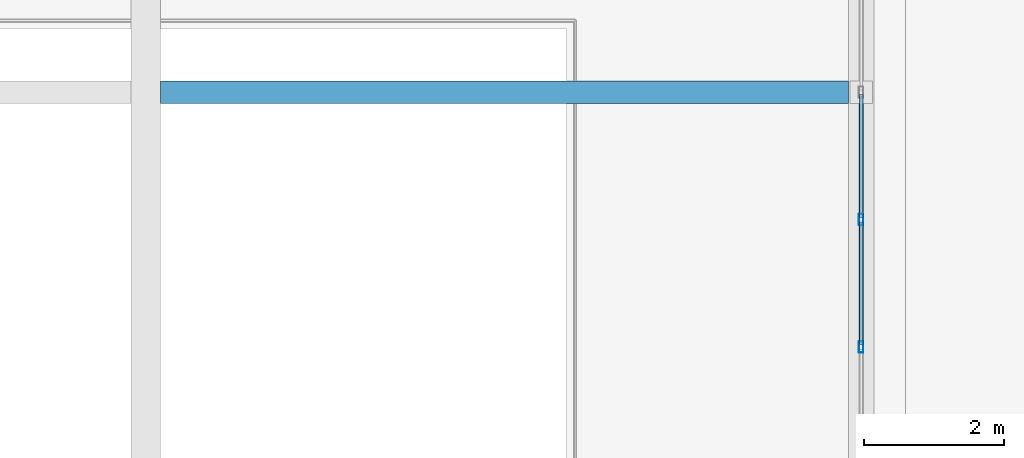
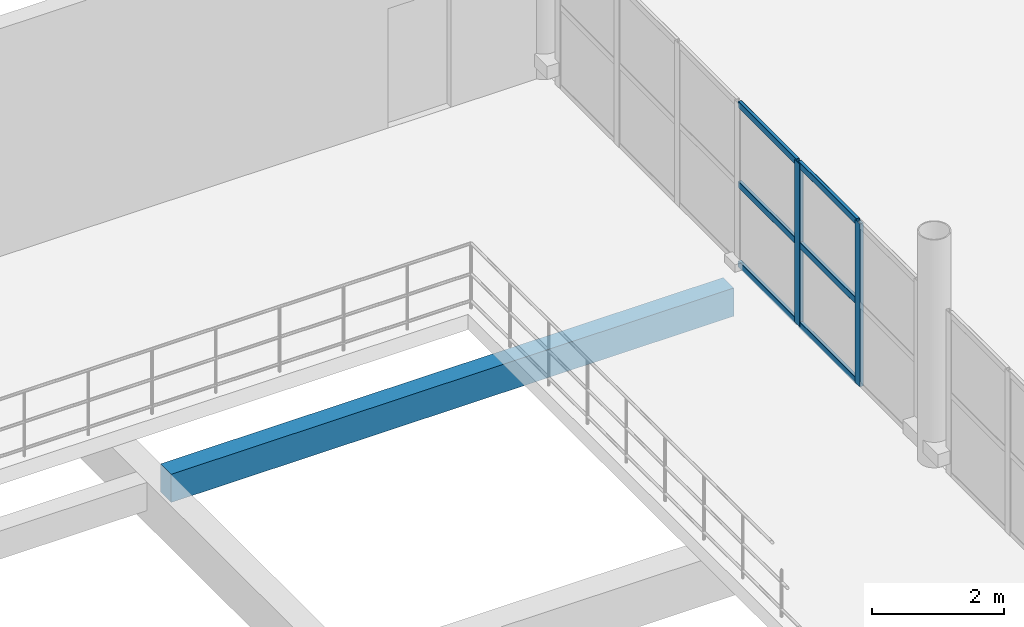
# One storey, part 75 of 157: 8 members, 1 beam, 1 element without a shape of its own.
"""IFC4 building model written with IfcOpenShell, lengths in metres."""

from ifc_helpers import new_model, si_unit, direction, frame, origin, origin_2d, place, context, subcontext, project, spatial, rectangle, hollow_rectangle, extrude, material, material_profile, profile_set, type_object, element, aggregate, save


model = new_model("IFC4")

# Units and contexts
model_context = context("Model", 3, precision=1e-05, world=origin(), true_north=direction((0.0, 1.0)))
body_context = subcontext(model_context, "Body", "Model", "MODEL_VIEW")
ifc_project = project(units=[si_unit("LENGTHUNIT", "METRE"), si_unit("AREAUNIT", "SQUARE_METRE"), si_unit("VOLUMEUNIT", "CUBIC_METRE"), si_unit("PLANEANGLEUNIT", "RADIAN"), si_unit("MASSUNIT", "GRAM", prefix="KILO")], contexts=[model_context])

# Site, building, storey
site_placement = place(None, origin())
site = spatial("IfcSite", under=ifc_project, at=site_placement, CompositionType="ELEMENT")
building_placement = place(site_placement, origin())
building = spatial("IfcBuilding", under=site, at=building_placement, Name="Brelvane Convention Centre", CompositionType="ELEMENT")
storey_placement = place(building_placement, frame((0.0, 0.0, 10.800048828125)))
storey = spatial("IfcBuildingStorey", under=building, at=storey_placement, Name="L02", CompositionType="ELEMENT", Elevation=10.800048828125)

# Curtain wall, members
ifc_material_1 = material(Name="Anodised Aluminium Alloy 6063-T6", Category="aluminium")
curtain_wall_type = type_object("IfcCurtainWallType", Name="Curtain Wall CW-CONC", PredefinedType="USERDEFINED", material=ifc_material_1)
curtain_wall_placement = place(storey_placement, origin())
curtain_wall = element("IfcCurtainWall", 1, at=curtain_wall_placement, inside=storey, type_object=curtain_wall_type, Name="Curtain Wall CW-CONC L02-GAL-ATRIUM-E-3", ObjectType="UNITISED", PredefinedType="USERDEFINED")
ifc_material_2 = material(Name="Anodised Aluminium Alloy 6063-T6", Category="aluminium")
ifc_material_profile_1 = material_profile(ifc_material_2, hollow_rectangle(XDim=0.06494140625, YDim=0.159912109375, WallThickness=0.00390625, InnerFilletRadius=0.00390625, OuterFilletRadius=0.008056640625, at=origin_2d()), Name="ALU-M 160x65x4.0")
ifc_profile_set_1 = profile_set([ifc_material_profile_1], Name="Anodised Aluminium Alloy 6063-T6")
member_type_1 = type_object("IfcMemberType", Name="Curtain Mullion CW-M3", PredefinedType="MULLION", material=ifc_profile_set_1)
member_1_placement = place(storey_placement, frame((163.199951171875, 66.466552734375, 0.0), z_axis=(0.0, 0.0, 1.0), x_axis=(-1.0, 0.0, 0.0)))
member_1 = element("IfcMember", 2, at=member_1_placement, type_object=member_type_1, Name="CW-CONC mullion 2", PredefinedType="MULLION", context=body_context, shape_type="SweptSolid", body=[
    extrude(hollow_rectangle(XDim=0.06494140625, YDim=0.159912109375, WallThickness=0.00390625, InnerFilletRadius=0.00390625, OuterFilletRadius=0.008056640625, at=origin_2d()), origin(), (0.0, 0.0, 1.0), 3.0),
])
member_2_placement = place(storey_placement, frame((163.199951171875, 68.283447265625, 0.0), z_axis=(0.0, 0.0, 1.0), x_axis=(-1.0, 0.0, 0.0)))
member_2 = element("IfcMember", 3, at=member_2_placement, type_object=member_type_1, Name="CW-CONC mullion 3", PredefinedType="MULLION", context=body_context, shape_type="SweptSolid", body=[
    extrude(hollow_rectangle(XDim=0.06494140625, YDim=0.159912109375, WallThickness=0.00390625, InnerFilletRadius=0.00390625, OuterFilletRadius=0.008056640625, at=origin_2d()), origin(), (0.0, 0.0, 1.0), 3.0),
])
ifc_material_3 = material(Name="Anodised Aluminium Alloy 6063-T6", Category="aluminium")
ifc_material_profile_2 = material_profile(ifc_material_3, hollow_rectangle(XDim=0.06005859375, YDim=0.1201171875, WallThickness=0.00390625, InnerFilletRadius=0.00390625, OuterFilletRadius=0.008056640625, at=origin_2d()), Name="ALU-T 120x60x4.0")
ifc_profile_set_2 = profile_set([ifc_material_profile_2], Name="Anodised Aluminium Alloy 6063-T6")
member_type_2 = type_object("IfcMemberType", Name="Curtain Transom CW-T3", PredefinedType="USERDEFINED", material=ifc_profile_set_2)
member_3_placement = place(storey_placement, frame((163.199951171875, 66.499267578125, 0.030029296875), z_axis=(0.0, 1.0, 0.0), x_axis=(-1.0, 0.0, 0.0)))
member_3 = element("IfcMember", 4, at=member_3_placement, type_object=member_type_2, Name="CW-CONC transom 2.1", ObjectType="TRANSOM", PredefinedType="USERDEFINED", context=body_context, shape_type="SweptSolid", body=[
    extrude(hollow_rectangle(XDim=0.06005859375, YDim=0.1201171875, WallThickness=0.00390625, InnerFilletRadius=0.00390625, OuterFilletRadius=0.008056640625, at=origin_2d()), origin(), (0.0, 0.0, 1.0), 1.75146484375),
])
member_4_placement = place(storey_placement, frame((163.199951171875, 66.499267578125, 1.5), z_axis=(0.0, 1.0, 0.0), x_axis=(-1.0, 0.0, 0.0)))
member_4 = element("IfcMember", 5, at=member_4_placement, type_object=member_type_2, Name="CW-CONC transom 2.2", ObjectType="TRANSOM", PredefinedType="USERDEFINED", context=body_context, shape_type="SweptSolid", body=[
    extrude(hollow_rectangle(XDim=0.06005859375, YDim=0.1201171875, WallThickness=0.00390625, InnerFilletRadius=0.00390625, OuterFilletRadius=0.008056640625, at=origin_2d()), origin(), (0.0, 0.0, 1.0), 1.75146484375),
])
member_5_placement = place(storey_placement, frame((163.199951171875, 66.499267578125, 2.969970703125), z_axis=(0.0, 1.0, 0.0), x_axis=(-1.0, 0.0, 0.0)))
member_5 = element("IfcMember", 6, at=member_5_placement, type_object=member_type_2, Name="CW-CONC transom 2.3", ObjectType="TRANSOM", PredefinedType="USERDEFINED", context=body_context, shape_type="SweptSolid", body=[
    extrude(hollow_rectangle(XDim=0.06005859375, YDim=0.1201171875, WallThickness=0.00390625, InnerFilletRadius=0.00390625, OuterFilletRadius=0.008056640625, at=origin_2d()), origin(), (0.0, 0.0, 1.0), 1.75146484375),
])
member_6_placement = place(storey_placement, frame((163.199951171875, 68.31591796875, 0.030029296875), z_axis=(0.0, 1.0, 0.0), x_axis=(-1.0, 0.0, 0.0)))
member_6 = element("IfcMember", 7, at=member_6_placement, type_object=member_type_2, Name="CW-CONC transom 3.1", ObjectType="TRANSOM", PredefinedType="USERDEFINED", context=body_context, shape_type="SweptSolid", body=[
    extrude(hollow_rectangle(XDim=0.06005859375, YDim=0.1201171875, WallThickness=0.00390625, InnerFilletRadius=0.00390625, OuterFilletRadius=0.008056640625, at=origin_2d()), origin(), (0.0, 0.0, 1.0), 1.75146484375),
])
member_7_placement = place(storey_placement, frame((163.199951171875, 68.31591796875, 1.5), z_axis=(0.0, 1.0, 0.0), x_axis=(-1.0, 0.0, 0.0)))
member_7 = element("IfcMember", 8, at=member_7_placement, type_object=member_type_2, Name="CW-CONC transom 3.2", ObjectType="TRANSOM", PredefinedType="USERDEFINED", context=body_context, shape_type="SweptSolid", body=[
    extrude(hollow_rectangle(XDim=0.06005859375, YDim=0.1201171875, WallThickness=0.00390625, InnerFilletRadius=0.00390625, OuterFilletRadius=0.008056640625, at=origin_2d()), origin(), (0.0, 0.0, 1.0), 1.75146484375),
])
member_8_placement = place(storey_placement, frame((163.199951171875, 68.31591796875, 2.969970703125), z_axis=(0.0, 1.0, 0.0), x_axis=(-1.0, 0.0, 0.0)))
member_8 = element("IfcMember", 9, at=member_8_placement, type_object=member_type_2, Name="CW-CONC transom 3.3", ObjectType="TRANSOM", PredefinedType="USERDEFINED", context=body_context, shape_type="SweptSolid", body=[
    extrude(hollow_rectangle(XDim=0.06005859375, YDim=0.1201171875, WallThickness=0.00390625, InnerFilletRadius=0.00390625, OuterFilletRadius=0.008056640625, at=origin_2d()), origin(), (0.0, 0.0, 1.0), 1.75146484375),
])
aggregate(curtain_wall, [member_1, member_2, member_3, member_4, member_5, member_6, member_7, member_8])

# Beam
ifc_material_4 = material(Name="Concrete M40", Category="concrete")
ifc_material_profile_3 = material_profile(ifc_material_4, rectangle(XDim=0.320068359375, YDim=0.52001953125, at=origin_2d()), Name="RC 320x520")
ifc_profile_set_3 = profile_set([ifc_material_profile_3], Name="Concrete M40")
beam_type = type_object("IfcBeamType", Name="RC Joist J-RC4 (RC 320x520)", PredefinedType="JOIST", material=ifc_profile_set_3)
beam_placement = place(storey_placement, frame((153.2099609375, 70.10009765625, -0.5400390625), z_axis=(1.0, 0.0, 0.0), x_axis=(0.0, 1.0, 0.0)))
element("IfcBeam", 10, at=beam_placement, inside=storey, type_object=beam_type, Name="L02 Secondary Joist 16-17/GH", PredefinedType="JOIST", context=body_context, shape_type="SweptSolid", body=[
    extrude(rectangle(XDim=0.320068359375, YDim=0.52001953125, at=origin_2d()), origin(), (0.0, 0.0, 1.0), 9.81005859375),
])

save(model, "model.ifc")
